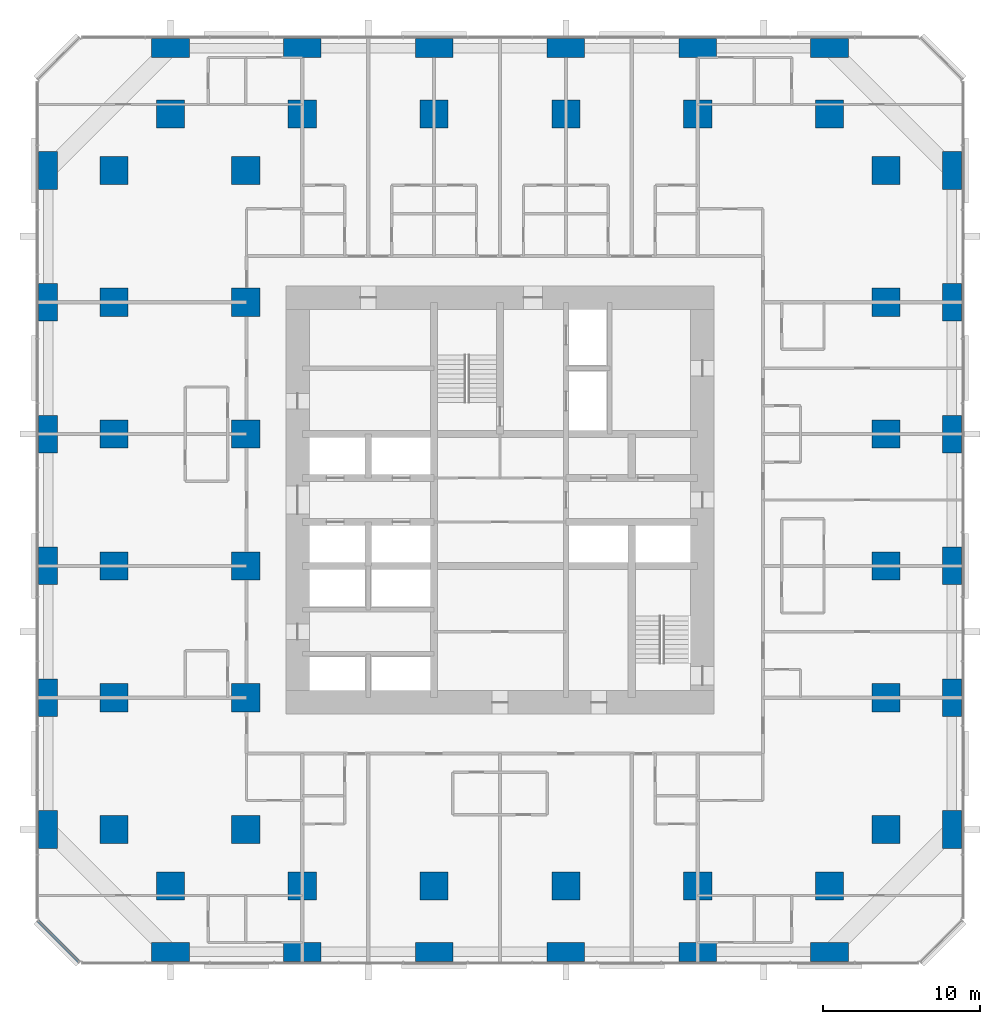
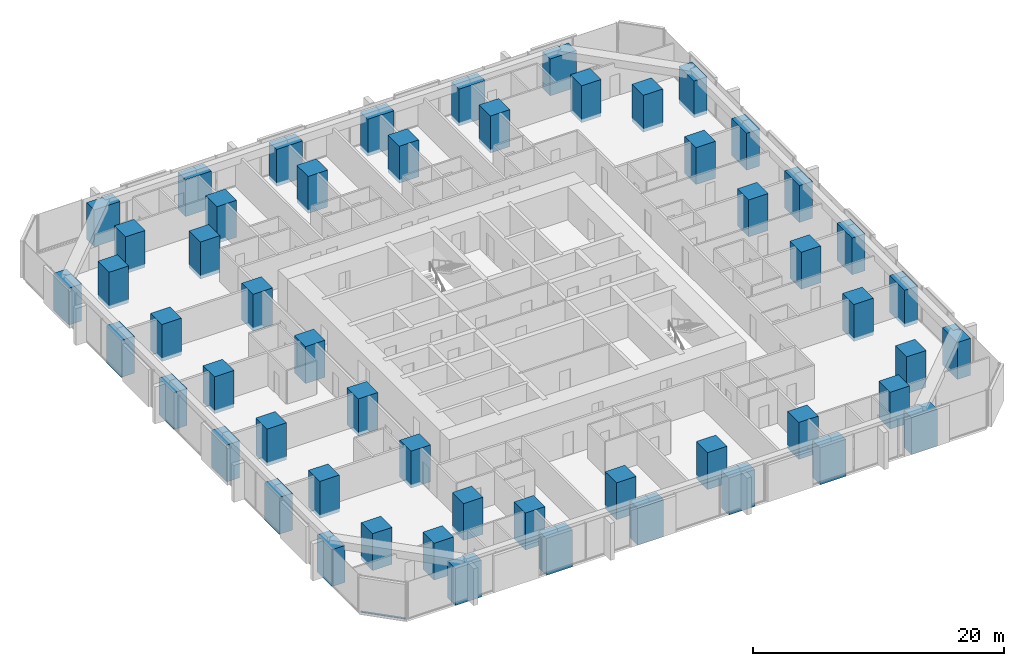
# One storey, part 1 of 17: 54 columns, 1 member, 1 element without a shape of its own.
"""IFC4 building model written with IfcOpenShell, lengths in metres."""

from ifc_helpers import new_model, si_unit, direction, frame, origin, origin_2d, place, context, subcontext, project, spatial, rectangle, extrude, material, material_profile, profile_set, type_object, element, aggregate, save


model = new_model("IFC4")

# Units and contexts
model_context = context("Model", 3, precision=1e-05, world=origin(), true_north=direction((0.0, 1.0)))
body_context = subcontext(model_context, "Body", "Model", "MODEL_VIEW")
ifc_project = project(units=[si_unit("LENGTHUNIT", "METRE"), si_unit("AREAUNIT", "SQUARE_METRE"), si_unit("VOLUMEUNIT", "CUBIC_METRE"), si_unit("PLANEANGLEUNIT", "RADIAN"), si_unit("MASSUNIT", "GRAM", prefix="KILO")], contexts=[model_context])

# Site, building, storey
site_placement = place(None, origin())
site = spatial("IfcSite", under=ifc_project, at=site_placement, CompositionType="ELEMENT")
building_placement = place(site_placement, origin())
building = spatial("IfcBuilding", under=site, at=building_placement, Name="Dunama Terrace Hotel", CompositionType="ELEMENT")
storey_placement = place(building_placement, frame((0.0, 0.0, 66.60009765625)))
storey = spatial("IfcBuildingStorey", under=building, at=storey_placement, Name="L16", CompositionType="ELEMENT", Elevation=66.60009765625)

# Columns
ifc_material_1 = material(Name="Concrete C60/75", Category="concrete")
ifc_material_profile_1 = material_profile(ifc_material_1, rectangle(XDim=1.199951171875, YDim=2.39990234375, at=origin_2d()), Name="RC 1200x2400")
ifc_profile_set_1 = profile_set([ifc_material_profile_1], Name="Concrete C60/75")
column_type_1 = type_object("IfcColumnType", Name="Column RC 1200x2400", PredefinedType="COLUMN", material=ifc_profile_set_1)
for number, where, z_axis, x_axis, name in (
    (1, (0.60009765625, 8.39990234375, -0.35009765625), (0.0, 0.0, 1.0), (1.0, 0.0, 0.0), "Column L16 +0.6/+8.4"),
    (2, (0.60009765625, 16.800048828125, -0.35009765625), (0.0, 0.0, 1.0), (1.0, 0.0, 0.0), "Column L16 +0.6/+16.8"),
    (3, (0.60009765625, 25.199951171875, -0.35009765625), (0.0, 0.0, 1.0), (1.0, 0.0, 0.0), "Column L16 +0.6/+25.2"),
    (4, (0.60009765625, 33.60009765625, -0.35009765625), (0.0, 0.0, 1.0), (1.0, 0.0, 0.0), "Column L16 +0.6/+33.6"),
    (5, (0.60009765625, 42.0, -0.35009765625), (0.0, 0.0, 1.0), (1.0, 0.0, 0.0), "Column L16 +0.6/+42.0"),
    (6, (0.60009765625, 50.39990234375, -0.35009765625), (0.0, 0.0, 1.0), (1.0, 0.0, 0.0), "Column L16 +0.6/+50.4"),
    (7, (58.199951171875, 8.39990234375, -0.35009765625), (0.0, 0.0, 1.0), (1.0, 0.0, 0.0), "Column L16 +58.2/+8.4"),
    (8, (58.199951171875, 16.800048828125, -0.35009765625), (0.0, 0.0, 1.0), (1.0, 0.0, 0.0), "Column L16 +58.2/+16.8"),
    (9, (58.199951171875, 25.199951171875, -0.35009765625), (0.0, 0.0, 1.0), (1.0, 0.0, 0.0), "Column L16 +58.2/+25.2"),
    (10, (58.199951171875, 33.60009765625, -0.35009765625), (0.0, 0.0, 1.0), (1.0, 0.0, 0.0), "Column L16 +58.2/+33.6"),
    (11, (58.199951171875, 42.0, -0.35009765625), (0.0, 0.0, 1.0), (1.0, 0.0, 0.0), "Column L16 +58.2/+42.0"),
    (12, (58.199951171875, 50.39990234375, -0.35009765625), (0.0, 0.0, 1.0), (1.0, 0.0, 0.0), "Column L16 +58.2/+50.4"),
):
    element("IfcColumn", number, at=place(storey_placement, frame(where, z_axis=z_axis, x_axis=x_axis)), inside=storey, type_object=column_type_1, Name=name, PredefinedType="COLUMN", context=body_context, shape_type="SweptSolid", body=[
        extrude(rectangle(XDim=1.199951171875, YDim=2.39990234375, at=origin_2d()), origin(), (0.0, 0.0, 1.0), 3.60009765625),
    ])
ifc_material_2 = material(Name="Concrete C60/75", Category="concrete")
ifc_material_profile_2 = material_profile(ifc_material_2, rectangle(XDim=1.800048828125, YDim=1.800048828125, at=origin_2d()), Name="RC 1800x1800")
ifc_profile_set_2 = profile_set([ifc_material_profile_2], Name="Concrete C60/75")
column_type_2 = type_object("IfcColumnType", Name="Column RC 1800x1800", PredefinedType="COLUMN", material=ifc_profile_set_2)
for number, where, z_axis, x_axis, name in (
    (13, (4.800048828125, 8.39990234375, -0.35009765625), (0.0, 0.0, 1.0), (1.0, 0.0, 0.0), "Column L16 +4.8/+8.4"),
    (14, (4.800048828125, 16.800048828125, -0.35009765625), (0.0, 0.0, 1.0), (1.0, 0.0, 0.0), "Column L16 +4.8/+16.8"),
    (15, (4.800048828125, 25.199951171875, -0.35009765625), (0.0, 0.0, 1.0), (1.0, 0.0, 0.0), "Column L16 +4.8/+25.2"),
    (16, (4.800048828125, 33.60009765625, -0.35009765625), (0.0, 0.0, 1.0), (1.0, 0.0, 0.0), "Column L16 +4.8/+33.6"),
    (17, (4.800048828125, 42.0, -0.35009765625), (0.0, 0.0, 1.0), (1.0, 0.0, 0.0), "Column L16 +4.8/+42.0"),
    (18, (4.800048828125, 50.39990234375, -0.35009765625), (0.0, 0.0, 1.0), (1.0, 0.0, 0.0), "Column L16 +4.8/+50.4"),
    (19, (8.39990234375, 4.800048828125, -0.35009765625), (0.0, 0.0, 1.0), (1.0, 0.0, 0.0), "Column L16 +8.4/+4.8"),
    (20, (8.39990234375, 54.0, -0.35009765625), (0.0, 0.0, 1.0), (1.0, 0.0, 0.0), "Column L16 +8.4/+54.0"),
    (21, (13.199951171875, 8.39990234375, -0.35009765625), (0.0, 0.0, 1.0), (1.0, 0.0, 0.0), "Column L16 +13.2/+8.4"),
    (22, (13.199951171875, 16.800048828125, -0.35009765625), (0.0, 0.0, 1.0), (1.0, 0.0, 0.0), "Column L16 +13.2/+16.8"),
    (23, (13.199951171875, 25.199951171875, -0.35009765625), (0.0, 0.0, 1.0), (1.0, 0.0, 0.0), "Column L16 +13.2/+25.2"),
    (24, (13.199951171875, 33.60009765625, -0.35009765625), (0.0, 0.0, 1.0), (1.0, 0.0, 0.0), "Column L16 +13.2/+33.6"),
    (25, (13.199951171875, 42.0, -0.35009765625), (0.0, 0.0, 1.0), (1.0, 0.0, 0.0), "Column L16 +13.2/+42.0"),
    (26, (13.199951171875, 50.39990234375, -0.35009765625), (0.0, 0.0, 1.0), (1.0, 0.0, 0.0), "Column L16 +13.2/+50.4"),
    (27, (16.800048828125, 4.800048828125, -0.35009765625), (0.0, 0.0, 1.0), (1.0, 0.0, 0.0), "Column L16 +16.8/+4.8"),
    (28, (16.800048828125, 54.0, -0.35009765625), (0.0, 0.0, 1.0), (1.0, 0.0, 0.0), "Column L16 +16.8/+54.0"),
    (29, (25.199951171875, 4.800048828125, -0.35009765625), (0.0, 0.0, 1.0), (1.0, 0.0, 0.0), "Column L16 +25.2/+4.8"),
    (30, (25.199951171875, 54.0, -0.35009765625), (0.0, 0.0, 1.0), (1.0, 0.0, 0.0), "Column L16 +25.2/+54.0"),
    (31, (33.60009765625, 4.800048828125, -0.35009765625), (0.0, 0.0, 1.0), (1.0, 0.0, 0.0), "Column L16 +33.6/+4.8"),
    (32, (33.60009765625, 54.0, -0.35009765625), (0.0, 0.0, 1.0), (1.0, 0.0, 0.0), "Column L16 +33.6/+54.0"),
    (33, (42.0, 4.800048828125, -0.35009765625), (0.0, 0.0, 1.0), (1.0, 0.0, 0.0), "Column L16 +42.0/+4.8"),
    (34, (42.0, 54.0, -0.35009765625), (0.0, 0.0, 1.0), (1.0, 0.0, 0.0), "Column L16 +42.0/+54.0"),
    (35, (50.39990234375, 4.800048828125, -0.35009765625), (0.0, 0.0, 1.0), (1.0, 0.0, 0.0), "Column L16 +50.4/+4.8"),
    (36, (50.39990234375, 54.0, -0.35009765625), (0.0, 0.0, 1.0), (1.0, 0.0, 0.0), "Column L16 +50.4/+54.0"),
    (37, (54.0, 8.39990234375, -0.35009765625), (0.0, 0.0, 1.0), (1.0, 0.0, 0.0), "Column L16 +54.0/+8.4"),
    (38, (54.0, 16.800048828125, -0.35009765625), (0.0, 0.0, 1.0), (1.0, 0.0, 0.0), "Column L16 +54.0/+16.8"),
    (39, (54.0, 25.199951171875, -0.35009765625), (0.0, 0.0, 1.0), (1.0, 0.0, 0.0), "Column L16 +54.0/+25.2"),
    (40, (54.0, 33.60009765625, -0.35009765625), (0.0, 0.0, 1.0), (1.0, 0.0, 0.0), "Column L16 +54.0/+33.6"),
    (41, (54.0, 42.0, -0.35009765625), (0.0, 0.0, 1.0), (1.0, 0.0, 0.0), "Column L16 +54.0/+42.0"),
    (42, (54.0, 50.39990234375, -0.35009765625), (0.0, 0.0, 1.0), (1.0, 0.0, 0.0), "Column L16 +54.0/+50.4"),
):
    element("IfcColumn", number, at=place(storey_placement, frame(where, z_axis=z_axis, x_axis=x_axis)), inside=storey, type_object=column_type_2, Name=name, PredefinedType="COLUMN", context=body_context, shape_type="SweptSolid", body=[
        extrude(rectangle(XDim=1.800048828125, YDim=1.800048828125, at=origin_2d()), origin(), (0.0, 0.0, 1.0), 3.60009765625),
    ])
ifc_material_3 = material(Name="Concrete C60/75", Category="concrete")
ifc_material_profile_3 = material_profile(ifc_material_3, rectangle(XDim=2.39990234375, YDim=1.199951171875, at=origin_2d()), Name="RC 2400x1200")
ifc_profile_set_3 = profile_set([ifc_material_profile_3], Name="Concrete C60/75")
column_type_3 = type_object("IfcColumnType", Name="Column RC 2400x1200", PredefinedType="COLUMN", material=ifc_profile_set_3)
for number, where, z_axis, x_axis, name in (
    (43, (8.39990234375, 0.60009765625, -0.35009765625), (0.0, 0.0, 1.0), (1.0, 0.0, 0.0), "Column L16 +8.4/+0.6"),
    (44, (8.39990234375, 58.199951171875, -0.35009765625), (0.0, 0.0, 1.0), (1.0, 0.0, 0.0), "Column L16 +8.4/+58.2"),
    (45, (16.800048828125, 0.60009765625, -0.35009765625), (0.0, 0.0, 1.0), (1.0, 0.0, 0.0), "Column L16 +16.8/+0.6"),
    (46, (16.800048828125, 58.199951171875, -0.35009765625), (0.0, 0.0, 1.0), (1.0, 0.0, 0.0), "Column L16 +16.8/+58.2"),
    (47, (25.199951171875, 0.60009765625, -0.35009765625), (0.0, 0.0, 1.0), (1.0, 0.0, 0.0), "Column L16 +25.2/+0.6"),
    (48, (25.199951171875, 58.199951171875, -0.35009765625), (0.0, 0.0, 1.0), (1.0, 0.0, 0.0), "Column L16 +25.2/+58.2"),
    (49, (33.60009765625, 0.60009765625, -0.35009765625), (0.0, 0.0, 1.0), (1.0, 0.0, 0.0), "Column L16 +33.6/+0.6"),
    (50, (33.60009765625, 58.199951171875, -0.35009765625), (0.0, 0.0, 1.0), (1.0, 0.0, 0.0), "Column L16 +33.6/+58.2"),
    (51, (42.0, 0.60009765625, -0.35009765625), (0.0, 0.0, 1.0), (1.0, 0.0, 0.0), "Column L16 +42.0/+0.6"),
    (52, (42.0, 58.199951171875, -0.35009765625), (0.0, 0.0, 1.0), (1.0, 0.0, 0.0), "Column L16 +42.0/+58.2"),
    (53, (50.39990234375, 0.60009765625, -0.35009765625), (0.0, 0.0, 1.0), (1.0, 0.0, 0.0), "Column L16 +50.4/+0.6"),
    (54, (50.39990234375, 58.199951171875, -0.35009765625), (0.0, 0.0, 1.0), (1.0, 0.0, 0.0), "Column L16 +50.4/+58.2"),
):
    element("IfcColumn", number, at=place(storey_placement, frame(where, z_axis=z_axis, x_axis=x_axis)), inside=storey, type_object=column_type_3, Name=name, PredefinedType="COLUMN", context=body_context, shape_type="SweptSolid", body=[
        extrude(rectangle(XDim=2.39990234375, YDim=1.199951171875, at=origin_2d()), origin(), (0.0, 0.0, 1.0), 3.60009765625),
    ])

# Curtain wall, member
ifc_material_4 = material(Name="Aluminium curtain wall system", Category="aluminium")
curtain_wall_type = type_object("IfcCurtainWallType", Name="Unitised fritted glass wall CW-A", PredefinedType="NOTDEFINED", material=ifc_material_4)
curtain_wall_placement = place(storey_placement, origin())
curtain_wall = element("IfcCurtainWall", 55, at=curtain_wall_placement, inside=storey, type_object=curtain_wall_type, Name="Unitised fritted glass wall CW-A L16", PredefinedType="NOTDEFINED")
ifc_material_5 = material(Name="Aluminium transom", Category="aluminium")
ifc_material_profile_4 = material_profile(ifc_material_5, rectangle(XDim=0.179931640625, YDim=0.074951171875, at=origin_2d()), Name="CWA TRANSOM 180X75")
ifc_profile_set_4 = profile_set([ifc_material_profile_4], Name="Aluminium transom")
member_type = type_object("IfcMemberType", Name="CWA transom 180x75", PredefinedType="USERDEFINED", material=ifc_profile_set_4)
member_placement = place(storey_placement, frame((-0.02490234375, 2.5830078125, 0.037353515625), z_axis=(0.707106781187, -0.707106781187, 0.0), x_axis=(0.707106781187, 0.707106781187, 0.0)))
member = element("IfcMember", 56, at=member_placement, type_object=member_type, Name="CWA transom", ObjectType="TRANSOM", PredefinedType="USERDEFINED", context=body_context, shape_type="SweptSolid", body=[
    extrude(rectangle(XDim=0.179931640625, YDim=0.074951171875, at=origin_2d()), origin(), (0.0, 0.0, 1.0), 3.688232421875),
])
aggregate(curtain_wall, [member])

save(model, "model.ifc")
